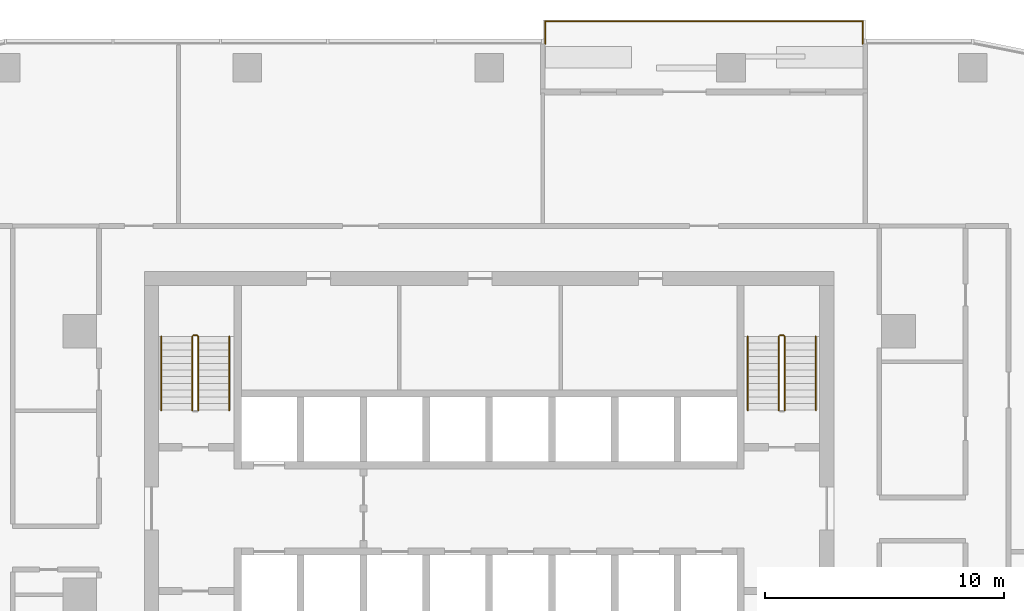
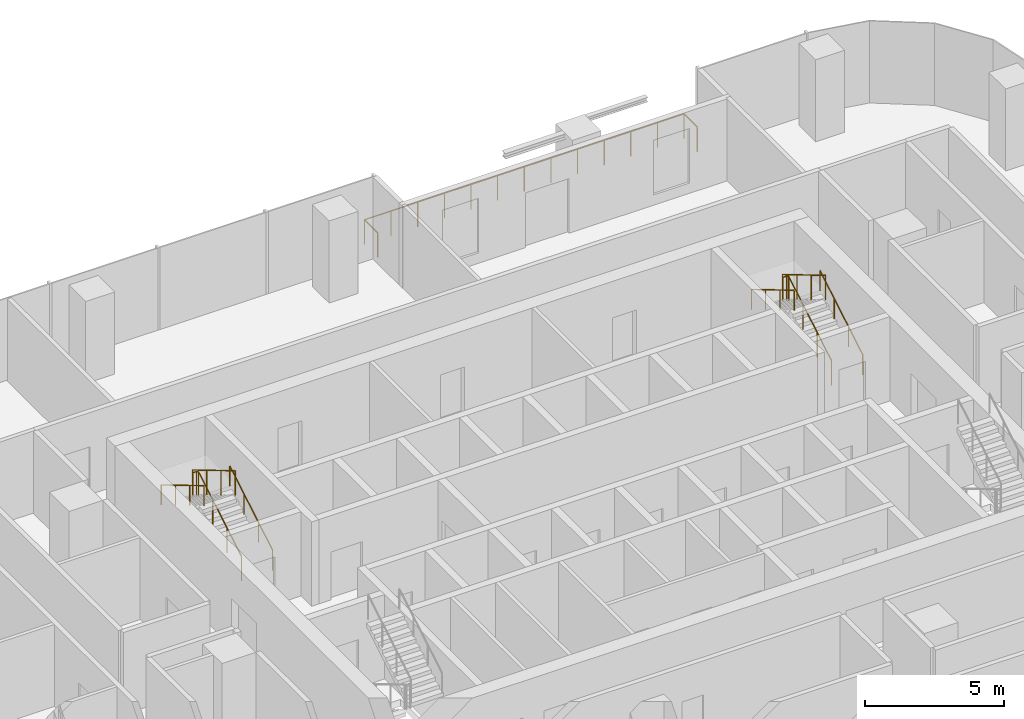
# One storey, part 14 of 14: 9 railings.
"""IFC4 building model written with IfcOpenShell, lengths in metres."""

from ifc_helpers import new_model, si_unit, direction, frame, origin, origin_2d, place, context, subcontext, project, spatial, circle, extrude, material, type_object, element, save


model = new_model("IFC4")

# Units and contexts
model_context = context("Model", 3, precision=1e-05, world=origin(), true_north=direction((0.0, 1.0)))
body_context = subcontext(model_context, "Body", "Model", "MODEL_VIEW")
ifc_project = project(units=[si_unit("LENGTHUNIT", "METRE"), si_unit("AREAUNIT", "SQUARE_METRE"), si_unit("VOLUMEUNIT", "CUBIC_METRE"), si_unit("PLANEANGLEUNIT", "RADIAN"), si_unit("MASSUNIT", "GRAM", prefix="KILO")], contexts=[model_context])

# Site, building, storey
site_placement = place(None, origin())
site = spatial("IfcSite", under=ifc_project, at=site_placement, CompositionType="ELEMENT")
building_placement = place(site_placement, origin())
building = spatial("IfcBuilding", under=site, at=building_placement, Name="Mopane Tessera Tower", CompositionType="ELEMENT")
storey_placement = place(building_placement, frame((0.0, 0.0, 197.0)))
storey = spatial("IfcBuildingStorey", under=building, at=storey_placement, Name="L41", CompositionType="ELEMENT", Elevation=197.0)

# Railings
ifc_material_1 = material(Name="Powder-coated steel balustrade", Category="steel")
railing_type_1 = type_object("IfcRailingType", Name="Escape stair guard 1100 mm", PredefinedType="GUARDRAIL", material=ifc_material_1)
railing_1_placement = place(storey_placement, frame((-12.14990234375, 7.699951171875, 0.166748046875)))
element("IfcRailing", 1, at=railing_1_placement, inside=storey, type_object=railing_type_1, Name="L41 ST2 stair guard 1", PredefinedType="GUARDRAIL", context=body_context, shape_type="SweptSolid", body=[
    extrude(circle(Radius=0.02392578125, at=origin_2d()), frame((0.0, 0.0, 1.076171875), z_axis=(0.0, 0.859308565015, 0.511457515432), x_axis=(-1.0, 0.0, 0.0)), (0.0, 0.0, 1.0), 3.58447265625),
    extrude(circle(Radius=0.02392578125, at=origin_2d()), frame((0.0, 3.080078125, 2.9091796875), z_axis=(-0.707106781187, 0.707106781187, 0.0), x_axis=(-0.707106781187, -0.707106781187, 0.0)), (0.0, 0.0, 1.0), 0.07080078125),
    extrude(circle(Radius=0.02392578125, at=origin_2d()), frame((-0.050048828125, 3.130126953125, 2.9091796875), z_axis=(-1.0, 0.0, 0.0), x_axis=(0.0, -1.0, 0.0)), (0.0, 0.0, 1.0), 0.150146484375),
    extrude(circle(Radius=0.02099609375, at=origin_2d()), origin(), (0.0, 0.0, 1.0), 1.052001953125),
    extrude(circle(Radius=0.02099609375, at=origin_2d()), frame((0.0, 1.026611328125, 0.611083984375)), (0.0, 0.0, 1.0), 1.052001953125),
    extrude(circle(Radius=0.02099609375, at=origin_2d()), frame((0.0, 2.053466796875, 1.22216796875)), (0.0, 0.0, 1.0), 1.052001953125),
    extrude(circle(Radius=0.02099609375, at=origin_2d()), frame((0.0, 3.080078125, 1.833251953125)), (0.0, 0.0, 1.0), 1.052001953125),
    extrude(circle(Radius=0.02099609375, at=origin_2d()), frame((-0.050048828125, 3.130126953125, 1.833251953125)), (0.0, 0.0, 1.0), 1.052001953125),
    extrude(circle(Radius=0.02099609375, at=origin_2d()), frame((-0.2001953125, 3.130126953125, 1.833251953125)), (0.0, 0.0, 1.0), 1.052001953125),
])
railing_2_placement = place(storey_placement, frame((-12.39990234375, 10.780029296875, 2.166748046875)))
element("IfcRailing", 2, at=railing_2_placement, inside=storey, type_object=railing_type_1, Name="L41 ST2 stair guard 2", PredefinedType="GUARDRAIL", context=body_context, shape_type="SweptSolid", body=[
    extrude(circle(Radius=0.02392578125, at=origin_2d()), frame((0.0, 0.0, 1.076171875), z_axis=(0.0, -0.859308565015, 0.511457515432), x_axis=(1.0, 0.0, 0.0)), (0.0, 0.0, 1.0), 3.58447265625),
    extrude(circle(Radius=0.02099609375, at=origin_2d()), origin(), (0.0, 0.0, 1.0), 1.052001953125),
    extrude(circle(Radius=0.02099609375, at=origin_2d()), frame((0.0, -1.026611328125, 0.611083984375)), (0.0, 0.0, 1.0), 1.052001953125),
    extrude(circle(Radius=0.02099609375, at=origin_2d()), frame((0.0, -2.053466796875, 1.22216796875)), (0.0, 0.0, 1.0), 1.052001953125),
    extrude(circle(Radius=0.02099609375, at=origin_2d()), frame((0.0, -3.080078125, 1.833251953125)), (0.0, 0.0, 1.0), 1.052001953125),
])
railing_3_placement = place(storey_placement, frame((12.35009765625, 7.699951171875, 0.166748046875)))
element("IfcRailing", 3, at=railing_3_placement, inside=storey, type_object=railing_type_1, Name="L41 ST4 stair guard 1", PredefinedType="GUARDRAIL", context=body_context, shape_type="SweptSolid", body=[
    extrude(circle(Radius=0.02392578125, at=origin_2d()), frame((0.0, 0.0, 1.076171875), z_axis=(0.0, 0.859308565015, 0.511457515432), x_axis=(-1.0, 0.0, 0.0)), (0.0, 0.0, 1.0), 3.58447265625),
    extrude(circle(Radius=0.02392578125, at=origin_2d()), frame((0.0, 3.080078125, 2.9091796875), z_axis=(-0.707106781187, 0.707106781187, 0.0), x_axis=(-0.707106781187, -0.707106781187, 0.0)), (0.0, 0.0, 1.0), 0.07080078125),
    extrude(circle(Radius=0.02392578125, at=origin_2d()), frame((-0.050048828125, 3.130126953125, 2.9091796875), z_axis=(-1.0, 0.0, 0.0), x_axis=(0.0, -1.0, 0.0)), (0.0, 0.0, 1.0), 0.150146484375),
    extrude(circle(Radius=0.02099609375, at=origin_2d()), origin(), (0.0, 0.0, 1.0), 1.052001953125),
    extrude(circle(Radius=0.02099609375, at=origin_2d()), frame((0.0, 1.026611328125, 0.611083984375)), (0.0, 0.0, 1.0), 1.052001953125),
    extrude(circle(Radius=0.02099609375, at=origin_2d()), frame((0.0, 2.053466796875, 1.22216796875)), (0.0, 0.0, 1.0), 1.052001953125),
    extrude(circle(Radius=0.02099609375, at=origin_2d()), frame((0.0, 3.080078125, 1.833251953125)), (0.0, 0.0, 1.0), 1.052001953125),
    extrude(circle(Radius=0.02099609375, at=origin_2d()), frame((-0.050048828125, 3.130126953125, 1.833251953125)), (0.0, 0.0, 1.0), 1.052001953125),
    extrude(circle(Radius=0.02099609375, at=origin_2d()), frame((-0.2001953125, 3.130126953125, 1.833251953125)), (0.0, 0.0, 1.0), 1.052001953125),
])
railing_4_placement = place(storey_placement, frame((12.10009765625, 10.780029296875, 2.166748046875)))
element("IfcRailing", 4, at=railing_4_placement, inside=storey, type_object=railing_type_1, Name="L41 ST4 stair guard 2", PredefinedType="GUARDRAIL", context=body_context, shape_type="SweptSolid", body=[
    extrude(circle(Radius=0.02392578125, at=origin_2d()), frame((0.0, 0.0, 1.076171875), z_axis=(0.0, -0.859308565015, 0.511457515432), x_axis=(1.0, 0.0, 0.0)), (0.0, 0.0, 1.0), 3.58447265625),
    extrude(circle(Radius=0.02099609375, at=origin_2d()), origin(), (0.0, 0.0, 1.0), 1.052001953125),
    extrude(circle(Radius=0.02099609375, at=origin_2d()), frame((0.0, -1.026611328125, 0.611083984375)), (0.0, 0.0, 1.0), 1.052001953125),
    extrude(circle(Radius=0.02099609375, at=origin_2d()), frame((0.0, -2.053466796875, 1.22216796875)), (0.0, 0.0, 1.0), 1.052001953125),
    extrude(circle(Radius=0.02099609375, at=origin_2d()), frame((0.0, -3.080078125, 1.833251953125)), (0.0, 0.0, 1.0), 1.052001953125),
])
ifc_material_2 = material(Name="Powder-coated steel balustrade", Category="steel")
railing_type_2 = type_object("IfcRailingType", Name="Escape stair handrail 900 mm", PredefinedType="HANDRAIL", material=ifc_material_2)
railing_5_placement = place(storey_placement, frame((-10.85009765625, 7.699951171875, 0.166748046875)))
element("IfcRailing", 5, at=railing_5_placement, inside=storey, type_object=railing_type_2, Name="L41 ST2 stair handrail 1", PredefinedType="HANDRAIL", context=body_context, shape_type="SweptSolid", body=[
    extrude(circle(Radius=0.02392578125, at=origin_2d()), frame((0.0, 0.0, 0.8759765625), z_axis=(0.0, 0.859308565015, 0.511457515432), x_axis=(-1.0, 0.0, 0.0)), (0.0, 0.0, 1.0), 3.58447265625),
    extrude(circle(Radius=0.02099609375, at=origin_2d()), origin(), (0.0, 0.0, 1.0), 0.851806640625),
    extrude(circle(Radius=0.02099609375, at=origin_2d()), frame((0.0, 1.026611328125, 0.611083984375)), (0.0, 0.0, 1.0), 0.851806640625),
    extrude(circle(Radius=0.02099609375, at=origin_2d()), frame((0.0, 2.053466796875, 1.22216796875)), (0.0, 0.0, 1.0), 0.851806640625),
    extrude(circle(Radius=0.02099609375, at=origin_2d()), frame((0.0, 3.080078125, 1.833251953125)), (0.0, 0.0, 1.0), 0.851806640625),
])
railing_6_placement = place(storey_placement, frame((-13.699951171875, 10.780029296875, 2.166748046875)))
element("IfcRailing", 6, at=railing_6_placement, inside=storey, type_object=railing_type_2, Name="L41 ST2 stair handrail 2", PredefinedType="HANDRAIL", context=body_context, shape_type="SweptSolid", body=[
    extrude(circle(Radius=0.02392578125, at=origin_2d()), frame((0.0, 0.0, 0.8759765625), z_axis=(0.0, -0.859308565015, 0.511457515432), x_axis=(1.0, 0.0, 0.0)), (0.0, 0.0, 1.0), 3.58447265625),
    extrude(circle(Radius=0.02099609375, at=origin_2d()), origin(), (0.0, 0.0, 1.0), 0.851806640625),
    extrude(circle(Radius=0.02099609375, at=origin_2d()), frame((0.0, -1.026611328125, 0.611083984375)), (0.0, 0.0, 1.0), 0.851806640625),
    extrude(circle(Radius=0.02099609375, at=origin_2d()), frame((0.0, -2.053466796875, 1.22216796875)), (0.0, 0.0, 1.0), 0.851806640625),
    extrude(circle(Radius=0.02099609375, at=origin_2d()), frame((0.0, -3.080078125, 1.833251953125)), (0.0, 0.0, 1.0), 0.851806640625),
])
railing_7_placement = place(storey_placement, frame((13.64990234375, 7.699951171875, 0.166748046875)))
element("IfcRailing", 7, at=railing_7_placement, inside=storey, type_object=railing_type_2, Name="L41 ST4 stair handrail 1", PredefinedType="HANDRAIL", context=body_context, shape_type="SweptSolid", body=[
    extrude(circle(Radius=0.02392578125, at=origin_2d()), frame((0.0, 0.0, 0.8759765625), z_axis=(0.0, 0.859308565015, 0.511457515432), x_axis=(-1.0, 0.0, 0.0)), (0.0, 0.0, 1.0), 3.58447265625),
    extrude(circle(Radius=0.02099609375, at=origin_2d()), origin(), (0.0, 0.0, 1.0), 0.851806640625),
    extrude(circle(Radius=0.02099609375, at=origin_2d()), frame((0.0, 1.026611328125, 0.611083984375)), (0.0, 0.0, 1.0), 0.851806640625),
    extrude(circle(Radius=0.02099609375, at=origin_2d()), frame((0.0, 2.053466796875, 1.22216796875)), (0.0, 0.0, 1.0), 0.851806640625),
    extrude(circle(Radius=0.02099609375, at=origin_2d()), frame((0.0, 3.080078125, 1.833251953125)), (0.0, 0.0, 1.0), 0.851806640625),
])
railing_8_placement = place(storey_placement, frame((10.800048828125, 10.780029296875, 2.166748046875)))
element("IfcRailing", 8, at=railing_8_placement, inside=storey, type_object=railing_type_2, Name="L41 ST4 stair handrail 2", PredefinedType="HANDRAIL", context=body_context, shape_type="SweptSolid", body=[
    extrude(circle(Radius=0.02392578125, at=origin_2d()), frame((0.0, 0.0, 0.8759765625), z_axis=(0.0, -0.859308565015, 0.511457515432), x_axis=(1.0, 0.0, 0.0)), (0.0, 0.0, 1.0), 3.58447265625),
    extrude(circle(Radius=0.02099609375, at=origin_2d()), origin(), (0.0, 0.0, 1.0), 0.851806640625),
    extrude(circle(Radius=0.02099609375, at=origin_2d()), frame((0.0, -1.026611328125, 0.611083984375)), (0.0, 0.0, 1.0), 0.851806640625),
    extrude(circle(Radius=0.02099609375, at=origin_2d()), frame((0.0, -2.053466796875, 1.22216796875)), (0.0, 0.0, 1.0), 0.851806640625),
    extrude(circle(Radius=0.02099609375, at=origin_2d()), frame((0.0, -3.080078125, 1.833251953125)), (0.0, 0.0, 1.0), 0.851806640625),
])
ifc_material_3 = material(Name="Stainless steel S316", Category="steel")
railing_type_3 = type_object("IfcRailingType", Name="Terrace guard 1100", PredefinedType="GUARDRAIL", material=ifc_material_3)
railing_9_placement = place(storey_placement, frame((15.611083984375, 23.0, 0.0)))
element("IfcRailing", 9, at=railing_9_placement, inside=storey, type_object=railing_type_3, Name="e:nw:L41:N3:guard", PredefinedType="GUARDRAIL", context=body_context, shape_type="SweptSolid", body=[
    extrude(circle(Radius=0.02392578125, at=origin_2d()), frame((0.0, 0.0, 1.076171875), z_axis=(0.0, 1.0, 0.0), x_axis=(-1.0, 0.0, 0.0)), (0.0, 0.0, 1.0), 0.949951171875),
    extrude(circle(Radius=0.02392578125, at=origin_2d()), frame((0.0, 0.949951171875, 1.076171875), z_axis=(-1.0, 0.0, 0.0), x_axis=(0.0, -1.0, 0.0)), (0.0, 0.0, 1.0), 13.2666015625),
    extrude(circle(Radius=0.02392578125, at=origin_2d()), frame((-13.2666015625, 0.949951171875, 1.076171875), z_axis=(0.0, -1.0, 0.0), x_axis=(1.0, 0.0, 0.0)), (0.0, 0.0, 1.0), 0.949951171875),
    extrude(circle(Radius=0.02099609375, at=origin_2d()), origin(), (0.0, 0.0, 1.0), 1.052001953125),
    extrude(circle(Radius=0.02099609375, at=origin_2d()), frame((0.0, 0.949951171875, 0.0)), (0.0, 0.0, 1.0), 1.052001953125),
    extrude(circle(Radius=0.02099609375, at=origin_2d()), frame((-1.10546875, 0.949951171875, 0.0)), (0.0, 0.0, 1.0), 1.052001953125),
    extrude(circle(Radius=0.02099609375, at=origin_2d()), frame((-2.211181640625, 0.949951171875, 0.0)), (0.0, 0.0, 1.0), 1.052001953125),
    extrude(circle(Radius=0.02099609375, at=origin_2d()), frame((-3.316650390625, 0.949951171875, 0.0)), (0.0, 0.0, 1.0), 1.052001953125),
    extrude(circle(Radius=0.02099609375, at=origin_2d()), frame((-4.422119140625, 0.949951171875, 0.0)), (0.0, 0.0, 1.0), 1.052001953125),
    extrude(circle(Radius=0.02099609375, at=origin_2d()), frame((-5.52783203125, 0.949951171875, 0.0)), (0.0, 0.0, 1.0), 1.052001953125),
    extrude(circle(Radius=0.02099609375, at=origin_2d()), frame((-6.63330078125, 0.949951171875, 0.0)), (0.0, 0.0, 1.0), 1.052001953125),
    extrude(circle(Radius=0.02099609375, at=origin_2d()), frame((-7.73876953125, 0.949951171875, 0.0)), (0.0, 0.0, 1.0), 1.052001953125),
    extrude(circle(Radius=0.02099609375, at=origin_2d()), frame((-8.844482421875, 0.949951171875, 0.0)), (0.0, 0.0, 1.0), 1.052001953125),
    extrude(circle(Radius=0.02099609375, at=origin_2d()), frame((-9.949951171875, 0.949951171875, 0.0)), (0.0, 0.0, 1.0), 1.052001953125),
    extrude(circle(Radius=0.02099609375, at=origin_2d()), frame((-11.055419921875, 0.949951171875, 0.0)), (0.0, 0.0, 1.0), 1.052001953125),
    extrude(circle(Radius=0.02099609375, at=origin_2d()), frame((-12.1611328125, 0.949951171875, 0.0)), (0.0, 0.0, 1.0), 1.052001953125),
    extrude(circle(Radius=0.02099609375, at=origin_2d()), frame((-13.2666015625, 0.949951171875, 0.0)), (0.0, 0.0, 1.0), 1.052001953125),
    extrude(circle(Radius=0.02099609375, at=origin_2d()), frame((-13.2666015625, 0.0, 0.0)), (0.0, 0.0, 1.0), 1.052001953125),
])

save(model, "model.ifc")
